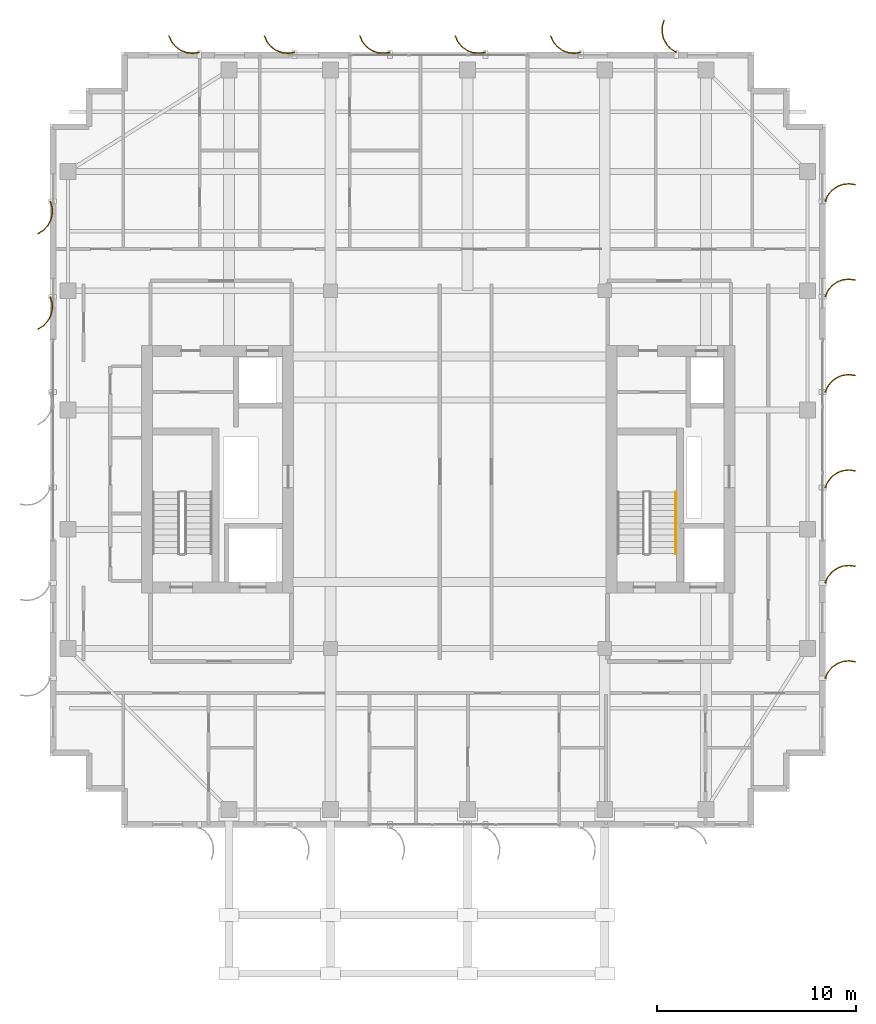
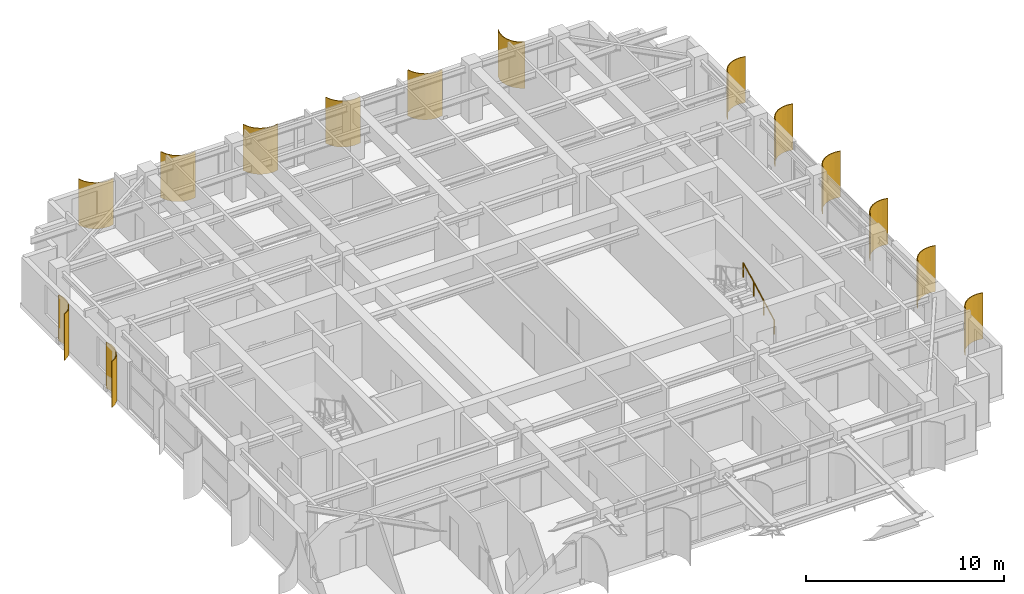
# One storey, part 19 of 19: 14 shading devices, 1 railing.
"""IFC4 building model written with IfcOpenShell, lengths in metres."""

from ifc_helpers import new_model, si_unit, direction, frame, origin, origin_2d, place, context, subcontext, project, spatial, polyline, circle, outline, extrude, source, transform, mapped, material, layer, layer_set, type_object, element, save


model = new_model("IFC4")

# Units and contexts
model_context = context("Model", 3, precision=1e-05, world=origin(), true_north=direction((0.0, 1.0)))
body_context = subcontext(model_context, "Body", "Model", "MODEL_VIEW")
ifc_project = project(units=[si_unit("LENGTHUNIT", "METRE"), si_unit("AREAUNIT", "SQUARE_METRE"), si_unit("VOLUMEUNIT", "CUBIC_METRE"), si_unit("PLANEANGLEUNIT", "RADIAN"), si_unit("MASSUNIT", "GRAM", prefix="KILO")], contexts=[model_context])

# Site, building, storey
site_placement = place(None, origin())
site = spatial("IfcSite", under=ifc_project, at=site_placement, CompositionType="ELEMENT")
building_placement = place(site_placement, origin())
building = spatial("IfcBuilding", under=site, at=building_placement, Name="Khoralis Quay Care Tower", CompositionType="ELEMENT")
storey_placement = place(building_placement, frame((0.0, 0.0, 281.699951171875)))
storey = spatial("IfcBuildingStorey", under=building, at=storey_placement, Name="L74", CompositionType="ELEMENT", Elevation=281.699951171875)

# Railing
ifc_material_1 = material(Name="Brushed stainless steel", Category="steel")
railing_type = type_object("IfcRailingType", Name="RL-HAND-900", PredefinedType="HANDRAIL", material=ifc_material_1)
railing_placement = place(storey_placement, frame((34.469970703125, 16.77001953125, 0.16357421875)))
element("IfcRailing", 1, at=railing_placement, inside=storey, type_object=railing_type, Name="L74 ST-T2 stair handrail 1", PredefinedType="HANDRAIL", context=body_context, shape_type="SweptSolid", body=[
    extrude(circle(Radius=0.02392578125, at=origin_2d()), frame((0.0, 0.0, 0.8759765625), z_axis=(0.0, 0.884348015382, 0.466828220752), x_axis=(-1.0, 0.0, 0.0)), (0.0, 0.0, 1.0), 3.505615234375),
    extrude(circle(Radius=0.02099609375, at=origin_2d()), origin(), (0.0, 0.0, 1.0), 0.851806640625),
    extrude(circle(Radius=0.02099609375, at=origin_2d()), frame((0.0, 1.033447265625, 0.54541015625)), (0.0, 0.0, 1.0), 0.851806640625),
    extrude(circle(Radius=0.02099609375, at=origin_2d()), frame((0.0, 2.066650390625, 1.091064453125)), (0.0, 0.0, 1.0), 0.851806640625),
    extrude(circle(Radius=0.02099609375, at=origin_2d()), frame((0.0, 3.10009765625, 1.636474609375)), (0.0, 0.0, 1.0), 0.851806640625),
])

# Shading devices
ifc_material_2 = material(Name="Brushed pale anodised aluminium", Category="aluminium")
ifc_layer = layer(ifc_material_2, 0.044921875)
ifc_layer_set = layer_set([ifc_layer], Name="Brushed pale anodised aluminium")
shading_device_type = type_object("IfcShadingDeviceType", Name="SHD-FIN-1250", PredefinedType="USERDEFINED", material=ifc_layer_set)
shared_shape_1 = source(origin(), body_context, "Body", "SweptSolid", [
    extrude(outline(polyline([(0.0, 0.0), (0.17041015625, 0.2783203125), (0.4072265625, 0.5029296875), (0.694091796875, 0.658447265625), (1.01123046875, 0.734619140625), (1.33740234375, 0.72607421875), (1.650390625, 0.633544921875), (1.632080078125, 0.59228515625), (1.330322265625, 0.681640625), (1.015869140625, 0.68994140625), (0.710205078125, 0.616455078125), (0.43359375, 0.466552734375), (0.20556640625, 0.25), (0.041015625, -0.018310546875), (0.0, 0.0)])), origin(), (0.0, 0.0, 1.0), 2.840087890625),
])
shading_device_placement = place(storey_placement, frame((34.5, 41.969970703125, 0.02001953125), z_axis=(0.0, 0.0, 1.0), x_axis=(0.0, 1.0, 0.0)))
element("IfcShadingDevice", 2, at=shading_device_placement, inside=storey, type_object=shading_device_type, Name="L74 Curved Solar Fin P1E10-01", ObjectType="FIN", PredefinedType="USERDEFINED", context=body_context, shape_type="MappedRepresentation", body=[
    mapped(shared_shape_1, transform((0.0, 0.0, 0.0), scale=1.0)),
])
shared_shape_2 = source(origin(), body_context, "Body", "SweptSolid", [
    extrude(outline(polyline([(0.0, 0.0), (-0.04833984375, 0.32275390625), (-0.01123046875, 0.64697265625), (0.1083984375, 0.950439453125), (0.302490234375, 1.212890625), (0.557861328125, 1.416015625), (0.85693359375, 1.546142578125), (0.869384765625, 1.5029296875), (0.5810546875, 1.37744140625), (0.334716796875, 1.181640625), (0.147705078125, 0.9287109375), (0.032470703125, 0.635986328125), (-0.003173828125, 0.323486328125), (0.043212890625, 0.012451171875), (0.0, 0.0)])), origin(), (0.0, 0.0, 1.0), 2.840087890625),
])
for number, where, z_axis, x_axis, name in (
    (3, (29.699951171875, 41.969970703125, 0.02001953125), (0.0, 0.0, 1.0), (0.0, 1.0, 0.0), "L74 Curved Solar Fin P1E10-02"),
    (4, (24.89990234375, 41.969970703125, 0.02001953125), (0.0, 0.0, 1.0), (0.0, 1.0, 0.0), "L74 Curved Solar Fin P1E10-03"),
    (5, (20.10009765625, 41.969970703125, 0.02001953125), (0.0, 0.0, 1.0), (0.0, 1.0, 0.0), "L74 Curved Solar Fin P1E10-04"),
    (6, (15.300048828125, 41.969970703125, 0.02001953125), (0.0, 0.0, 1.0), (0.0, 1.0, 0.0), "L74 Curved Solar Fin P1E10-05"),
    (7, (10.5, 41.969970703125, 0.02001953125), (0.0, 0.0, 1.0), (0.0, 1.0, 0.0), "L74 Curved Solar Fin P1E10-06"),
):
    element("IfcShadingDevice", number, at=place(storey_placement, frame(where, z_axis=z_axis, x_axis=x_axis)), inside=storey, type_object=shading_device_type, Name=name, ObjectType="FIN", PredefinedType="USERDEFINED", context=body_context, shape_type="MappedRepresentation", body=[
        mapped(shared_shape_2, transform((0.0, 0.0, 0.0), scale=1.0)),
    ])
shared_shape_3 = source(origin(), body_context, "Body", "SweptSolid", [
    extrude(outline(polyline([(0.0, 0.0), (0.130126953125, 0.29931640625), (0.333251953125, 0.5546875), (0.595458984375, 0.748779296875), (0.899169921875, 0.868408203125), (1.223388671875, 0.9052734375), (1.546142578125, 0.85693359375), (1.53369140625, 0.813720703125), (1.22265625, 0.8603515625), (0.91015625, 0.82470703125), (0.617431640625, 0.70947265625), (0.364501953125, 0.522216796875), (0.168701171875, 0.276123046875), (0.043212890625, -0.012451171875), (0.0, 0.0)])), origin(), (0.0, 0.0, 1.0), 2.840087890625),
])
for number, where, z_axis, x_axis, name in (
    (8, (41.969970703125, 10.5, 0.02001953125), (0.0, 0.0, 1.0), (1.0, 0.0, 0.0), "L74 Curved Solar Fin P1E5-01"),
    (9, (41.969970703125, 15.300048828125, 0.02001953125), (0.0, 0.0, 1.0), (1.0, 0.0, 0.0), "L74 Curved Solar Fin P1E5-02"),
    (10, (41.969970703125, 20.10009765625, 0.02001953125), (0.0, 0.0, 1.0), (1.0, 0.0, 0.0), "L74 Curved Solar Fin P1E5-03"),
    (11, (41.969970703125, 24.89990234375, 0.02001953125), (0.0, 0.0, 1.0), (1.0, 0.0, 0.0), "L74 Curved Solar Fin P1E5-04"),
    (12, (41.969970703125, 29.699951171875, 0.02001953125), (0.0, 0.0, 1.0), (1.0, 0.0, 0.0), "L74 Curved Solar Fin P1E5-05"),
    (13, (41.969970703125, 34.5, 0.02001953125), (0.0, 0.0, 1.0), (1.0, 0.0, 0.0), "L74 Curved Solar Fin P1E5-06"),
):
    element("IfcShadingDevice", number, at=place(storey_placement, frame(where, z_axis=z_axis, x_axis=x_axis)), inside=storey, type_object=shading_device_type, Name=name, ObjectType="FIN", PredefinedType="USERDEFINED", context=body_context, shape_type="MappedRepresentation", body=[
        mapped(shared_shape_3, transform((0.0, 0.0, 0.0), scale=1.0)),
    ])
shared_shape_4 = source(origin(), body_context, "Body", "SweptSolid", [
    extrude(outline(polyline([(0.0, 0.0), (-0.0927734375, 0.31298828125), (-0.101318359375, 0.63916015625), (-0.025146484375, 0.956298828125), (0.130615234375, 1.2431640625), (0.355224609375, 1.479736328125), (0.633544921875, 1.650390625), (0.65185546875, 1.609130859375), (0.383544921875, 1.44482421875), (0.1669921875, 1.216796875), (0.01708984375, 0.940185546875), (-0.056396484375, 0.63427734375), (-0.04833984375, 0.31982421875), (0.041015625, 0.018310546875), (0.0, 0.0)])), origin(), (0.0, 0.0, 1.0), 2.840087890625),
])
for number, where, z_axis, x_axis, name in (
    (14, (3.030029296875, 34.5, 0.02001953125), (0.0, 0.0, 1.0), (-1.0, 0.0, 0.0), "L74 Curved Solar Fin P1E15-01"),
    (15, (3.030029296875, 29.699951171875, 0.02001953125), (0.0, 0.0, 1.0), (-1.0, 0.0, 0.0), "L74 Curved Solar Fin P1E15-02"),
):
    element("IfcShadingDevice", number, at=place(storey_placement, frame(where, z_axis=z_axis, x_axis=x_axis)), inside=storey, type_object=shading_device_type, Name=name, ObjectType="FIN", PredefinedType="USERDEFINED", context=body_context, shape_type="MappedRepresentation", body=[
        mapped(shared_shape_4, transform((0.0, 0.0, 0.0), scale=1.0)),
    ])

save(model, "model.ifc")
